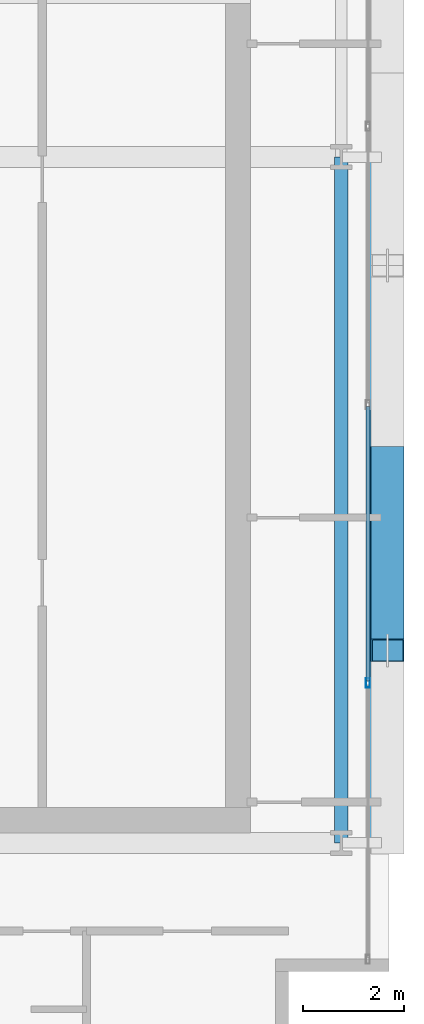
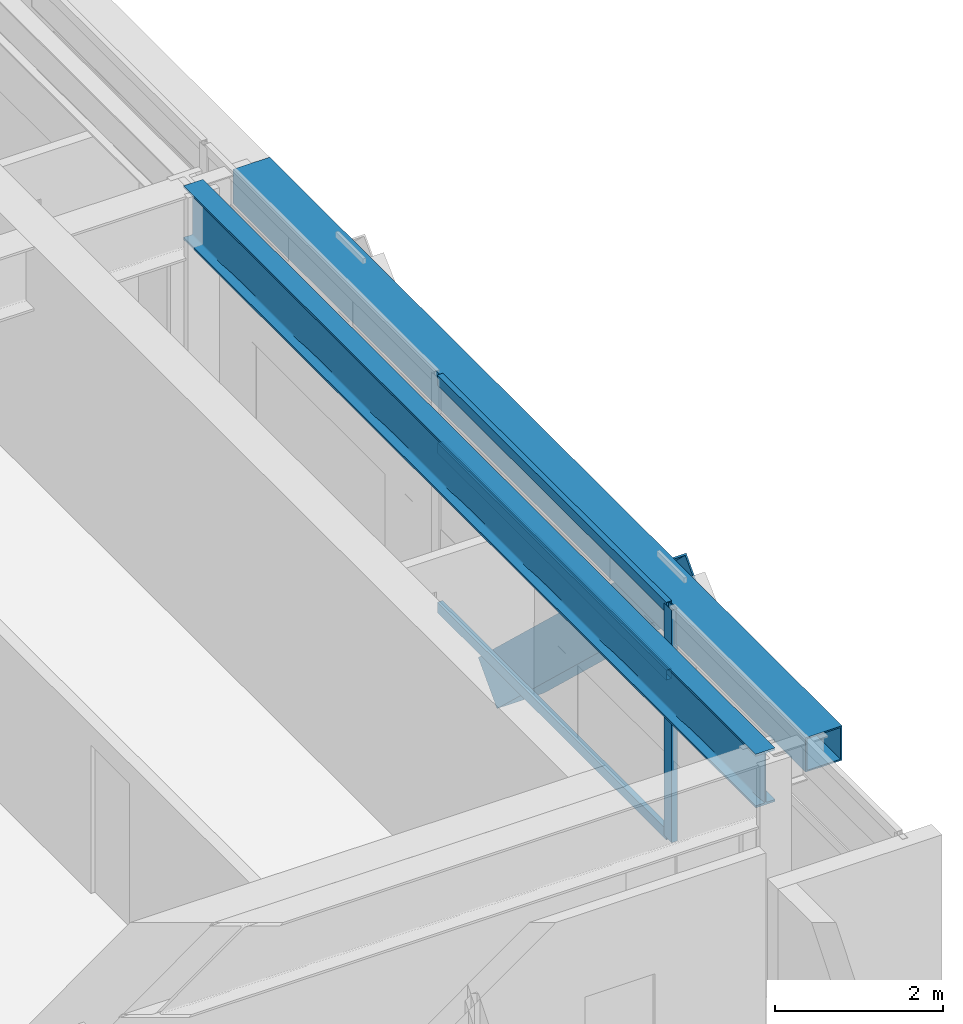
# One storey, part 12 of 31: 5 members, 2 beams, 1 element without a shape of its own.
"""IFC4 building model written with IfcOpenShell, lengths in metres."""

from ifc_helpers import new_model, si_unit, direction, frame, origin, origin_2d, place, context, subcontext, project, spatial, hollow_rectangle, i_section, extrude, source, transform, mapped, material, layer, layer_set, material_profile, profile_set, type_object, element, aggregate, save


model = new_model("IFC4")

# Units and contexts
model_context = context("Model", 3, precision=1e-05, world=origin(), true_north=direction((0.0, 1.0)))
body_context = subcontext(model_context, "Body", "Model", "MODEL_VIEW")
ifc_project = project(units=[si_unit("LENGTHUNIT", "METRE"), si_unit("AREAUNIT", "SQUARE_METRE"), si_unit("VOLUMEUNIT", "CUBIC_METRE"), si_unit("PLANEANGLEUNIT", "RADIAN"), si_unit("MASSUNIT", "GRAM", prefix="KILO")], contexts=[model_context])

# Site, building, storey
site_placement = place(None, origin())
site = spatial("IfcSite", under=ifc_project, at=site_placement, CompositionType="ELEMENT")
building_placement = place(site_placement, origin())
building = spatial("IfcBuilding", under=site, at=building_placement, Name="Ocotamira Hotel", CompositionType="ELEMENT")
storey_placement = place(building_placement, frame((0.0, 0.0, 181.199951171875)))
storey = spatial("IfcBuildingStorey", under=building, at=storey_placement, Name="L45", CompositionType="ELEMENT", Elevation=181.199951171875)

# Beams
ifc_material_1 = material(Name="Steel ASTM A992 Grade 50", Category="steel")
ifc_material_profile_1 = material_profile(ifc_material_1, i_section(OverallWidth=0.26611328125, OverallDepth=0.779052734375, WebThickness=0.0166015625, FlangeThickness=0.030029296875, FilletRadius=0.01806640625, at=origin_2d()), Name="W30X148")
ifc_profile_set_1 = profile_set([ifc_material_profile_1], Name="Steel ASTM A992 Grade 50")
beam_type_1 = type_object("IfcBeamType", Name="BM-GIRD-W30X148", PredefinedType="BEAM", material=ifc_profile_set_1)
shared_shape_1 = source(origin(), body_context, "Body", "SweptSolid", [
    extrude(i_section(OverallWidth=0.26611328125, OverallDepth=0.779052734375, WebThickness=0.0166015625, FlangeThickness=0.030029296875, FilletRadius=0.01806640625, at=origin_2d()), origin(), (0.0, 0.0, 1.0), 13.599853515625),
])
beam_1_placement = place(storey_placement, frame((55.050048828125, 14.550048828125, 2.98046875), z_axis=(0.0, 1.0, 0.0), x_axis=(-1.0, 0.0, 0.0)))
element("IfcBeam", 1, at=beam_1_placement, inside=storey, type_object=beam_type_1, Name="L45 Beam X55.05 Y14.55-28.15", PredefinedType="BEAM", context=body_context, shape_type="MappedRepresentation", body=[
    mapped(shared_shape_1, transform((0.0, 0.0, 0.0), scale=1.0)),
])
ifc_material_2 = material(Name="Steel ASTM A500 Grade C", Category="steel")
ifc_material_profile_2 = material_profile(ifc_material_2, hollow_rectangle(XDim=0.5, YDim=0.5, WallThickness=0.02001953125, at=origin_2d()), Name="HSS500X500X20")
ifc_profile_set_2 = profile_set([ifc_material_profile_2], Name="Steel ASTM A500 Grade C")
beam_type_2 = type_object("IfcBeamType", Name="BM-SPAN-HSS500", PredefinedType="USERDEFINED", material=ifc_profile_set_2)
shared_shape_2 = source(origin(), body_context, "Body", "SweptSolid", [
    extrude(hollow_rectangle(XDim=0.5, YDim=0.5, WallThickness=0.02001953125, at=origin_2d()), origin(), (0.0, 0.0, 1.0), 13.599853515625),
])
beam_2_placement = place(storey_placement, frame((55.85009765625, 14.550048828125, 3.1201171875), z_axis=(0.0, 1.0, 0.0), x_axis=(-1.0, 0.0, 0.0)))
element("IfcBeam", 2, at=beam_2_placement, inside=storey, type_object=beam_type_2, Name="L45 Edge Spandrel E Y14.55-28.15", ObjectType="SPANDREL", PredefinedType="USERDEFINED", context=body_context, shape_type="MappedRepresentation", body=[
    mapped(shared_shape_2, transform((0.0, 0.0, 0.0), scale=1.0)),
])

# Member
ifc_material_3 = material(Name="Pale-metal coated steel ASTM A913 Grade 65", Category="steel")
ifc_material_profile_3 = material_profile(ifc_material_3, hollow_rectangle(XDim=0.64990234375, YDim=0.64990234375, WallThickness=0.02197265625, at=origin_2d()), Name="BOX650X650X22")
ifc_profile_set_3 = profile_set([ifc_material_profile_3], Name="Pale-metal coated steel ASTM A913 Grade 65")
member_type_1 = type_object("IfcMemberType", Name="MEM-EXO-BOX650", PredefinedType="BRACE", material=ifc_profile_set_3)
shared_shape_3 = source(origin(), body_context, "Body", "SweptSolid", [
    extrude(hollow_rectangle(XDim=0.64990234375, YDim=0.64990234375, WallThickness=0.02197265625, at=origin_2d()), origin(), (0.0, 0.0, 1.0), 5.24658203125),
])
member_1_placement = place(storey_placement, frame((55.969970703125, 22.183349609375, -0.47998046875), z_axis=(0.0, -0.727442733726, 0.686168397078), x_axis=(1.0, 0.0, 0.0)))
element("IfcMember", 3, at=member_1_placement, inside=storey, type_object=member_type_1, Name="L45 Exoskeleton Diagrid E0.2", PredefinedType="BRACE", context=body_context, shape_type="MappedRepresentation", body=[
    mapped(shared_shape_3, transform((0.0, 0.0, 0.0), scale=1.0)),
])

# Curtain wall, members
ifc_material_4 = material(Name="Anodised pale-metal aluminium and solar glass", Category="aluminium")
ifc_layer = layer(ifc_material_4, 0.199951171875)
ifc_layer_set = layer_set([ifc_layer], Name="Anodised pale-metal aluminium and solar glass")
curtain_wall_type = type_object("IfcCurtainWallType", Name="CW-SYS4-Z3", PredefinedType="NOTDEFINED", material=ifc_layer_set)
curtain_wall_placement = place(storey_placement, origin())
curtain_wall = element("IfcCurtainWall", 4, at=curtain_wall_placement, inside=storey, type_object=curtain_wall_type, Name="L45 Curtain Wall CW-4 CW-L45-E", PredefinedType="NOTDEFINED")
ifc_material_5 = material(Name="Anodised pale-metal aluminium 6063-T6", Category="aluminium")
ifc_material_profile_4 = material_profile(ifc_material_5, hollow_rectangle(XDim=0.080078125, YDim=0.179931640625, WallThickness=0.006103515625, at=origin_2d()), Name="HSS180X80X6")
ifc_profile_set_4 = profile_set([ifc_material_profile_4], Name="Anodised pale-metal aluminium 6063-T6")
member_type_2 = type_object("IfcMemberType", Name="CWM-180X75", PredefinedType="MULLION", material=ifc_profile_set_4)
shared_shape_4 = source(origin(), body_context, "Body", "SweptSolid", [
    extrude(hollow_rectangle(XDim=0.080078125, YDim=0.179931640625, WallThickness=0.006103515625, at=origin_2d()), origin(), (0.0, 0.0, 1.0), 3.3701171875),
])
member_2_placement = place(storey_placement, frame((55.580078125, 17.719970703125, 0.0), z_axis=(0.0, 0.0, 1.0), x_axis=(-1.0, 0.0, 0.0)))
member_2 = element("IfcMember", 5, at=member_2_placement, type_object=member_type_2, Name="CW-4 mullion 2", PredefinedType="MULLION", context=body_context, shape_type="MappedRepresentation", body=[
    mapped(shared_shape_4, transform((0.0, 0.0, 0.0), scale=1.0)),
])
ifc_material_profile_5 = material_profile(ifc_material_5, hollow_rectangle(XDim=0.074951171875, YDim=0.14990234375, WallThickness=0.006103515625, at=origin_2d()), Name="HSS150X75X6")
ifc_profile_set_5 = profile_set([ifc_material_profile_5], Name="Anodised pale-metal aluminium 6063-T6")
member_type_3 = type_object("IfcMemberType", Name="CWT-150X75", PredefinedType="USERDEFINED", material=ifc_profile_set_5)
shared_shape_5 = source(origin(), body_context, "Body", "SweptSolid", [
    extrude(hollow_rectangle(XDim=0.074951171875, YDim=0.14990234375, WallThickness=0.006103515625, at=origin_2d()), origin(), (0.0, 0.0, 1.0), 5.43994140625),
])
member_3_placement = place(storey_placement, frame((55.580078125, 17.760009765625, 0.03759765625), z_axis=(0.0, 1.0, 0.0), x_axis=(-1.0, 0.0, 0.0)))
member_3 = element("IfcMember", 6, at=member_3_placement, type_object=member_type_3, Name="CW-4 transom 2.1", ObjectType="TRANSOM", PredefinedType="USERDEFINED", context=body_context, shape_type="MappedRepresentation", body=[
    mapped(shared_shape_5, transform((0.0, 0.0, 0.0), scale=1.0)),
])
member_4_placement = place(storey_placement, frame((55.580078125, 17.760009765625, 2.35009765625), z_axis=(0.0, 1.0, 0.0), x_axis=(-1.0, 0.0, 0.0)))
member_4 = element("IfcMember", 7, at=member_4_placement, type_object=member_type_3, Name="CW-4 transom 2.2", ObjectType="TRANSOM", PredefinedType="USERDEFINED", context=body_context, shape_type="MappedRepresentation", body=[
    mapped(shared_shape_5, transform((0.0, 0.0, 0.0), scale=1.0)),
])
member_5_placement = place(storey_placement, frame((55.580078125, 17.760009765625, 3.33251953125), z_axis=(0.0, 1.0, 0.0), x_axis=(-1.0, 0.0, 0.0)))
member_5 = element("IfcMember", 8, at=member_5_placement, type_object=member_type_3, Name="CW-4 transom 2.3", ObjectType="TRANSOM", PredefinedType="USERDEFINED", context=body_context, shape_type="MappedRepresentation", body=[
    mapped(shared_shape_5, transform((0.0, 0.0, 0.0), scale=1.0)),
])
aggregate(curtain_wall, [member_2, member_3, member_4, member_5])

save(model, "model.ifc")
